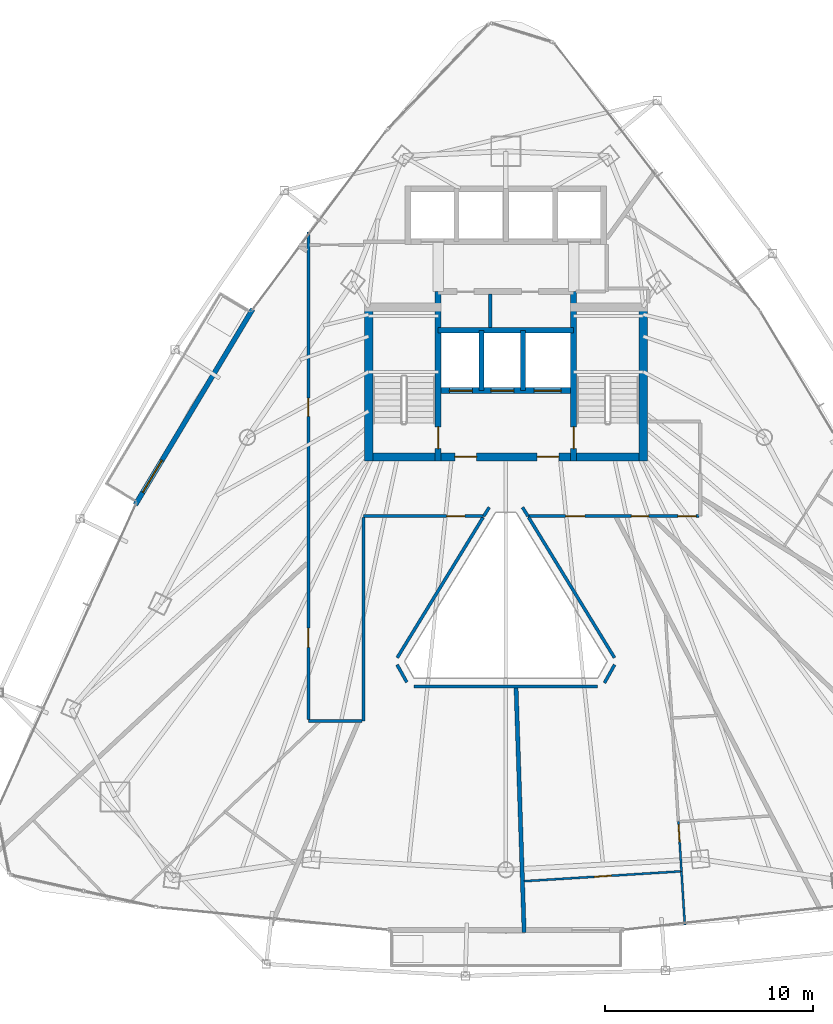
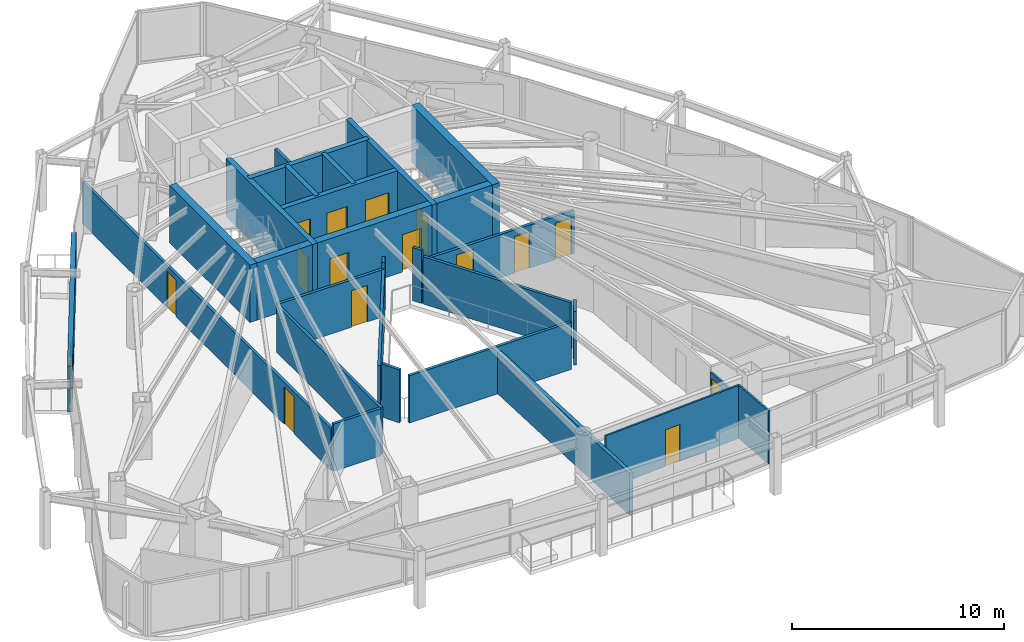
# One storey, part 24 of 29: 27 walls, 16 doors, 16 openings.
"""IFC4 building model written with IfcOpenShell, lengths in metres."""

from ifc_helpers import new_model, si_unit, direction, frame, frame_2d, origin, place, context, subcontext, project, spatial, rectangle, extrude, material, layer, layer_set, type_object, element, fill, save


model = new_model("IFC4")

# Units and contexts
model_context = context("Model", 3, precision=1e-05, world=origin(), true_north=direction((0.0, 1.0)))
body_context = subcontext(model_context, "Body", "Model", "MODEL_VIEW")
ifc_project = project(units=[si_unit("LENGTHUNIT", "METRE"), si_unit("AREAUNIT", "SQUARE_METRE"), si_unit("VOLUMEUNIT", "CUBIC_METRE"), si_unit("PLANEANGLEUNIT", "RADIAN"), si_unit("MASSUNIT", "GRAM", prefix="KILO")], contexts=[model_context])

# Site, building, storey
site_placement = place(None, origin())
site = spatial("IfcSite", under=ifc_project, at=site_placement, CompositionType="ELEMENT")
building_placement = place(site_placement, origin())
building = spatial("IfcBuilding", under=site, at=building_placement, Name="Orvanel Arch Residences", CompositionType="ELEMENT")
storey_placement = place(building_placement, frame((0.0, 0.0, 170.449951171875)))
storey = spatial("IfcBuildingStorey", under=building, at=storey_placement, Name="L48", CompositionType="ELEMENT", Elevation=170.449951171875)

# Wall, opening, door
ifc_material_1 = material(Name="Precast concrete N50 (50 MPa)", Category="concrete")
ifc_layer_1 = layer(ifc_material_1, 0.239990234375)
ifc_layer_set_1 = layer_set([ifc_layer_1], Name="Precast concrete N50 (50 MPa)")
wall_type_1 = type_object("IfcWallType", Name="EW-BAL-240", PredefinedType="SOLIDWALL", material=ifc_layer_set_1)
wall_1_placement = place(storey_placement, frame((20.825927734375, 33.81103515625, 0.0), z_axis=(0.0, 0.0, 1.0), x_axis=(-0.514332213488, -0.857591029669, 0.0)))
wall_1 = element("IfcWall", 1, at=wall_1_placement, inside=storey, type_object=wall_type_1, Name="L48 Balcony Threshold Wall Face 1", PredefinedType="SOLIDWALL", context=body_context, shape_type="SweptSolid", body=[
    extrude(rectangle(XDim=10.977294921875, YDim=0.239990234375, at=frame_2d((5.48876953125, 0.0))), origin(), (0.0, 0.0, 1.0), 2.6240234375),
])
opening_1_placement = place(wall_1_placement, frame((8.47998046875, 0.0, 0.0)))
opening_1 = element("IfcOpeningElement", 2, at=opening_1_placement, cuts=wall_1, Name="Opening DB-180", PredefinedType="OPENING", context=body_context, shape_type="SweptSolid", body=[
    extrude(rectangle(XDim=1.800048828125, YDim=2.199951171875, at=frame_2d((0.89990234375, 1.10009765625))), frame((0.0, 0.1298828125, 0.0), z_axis=(0.0, -1.0, 0.0), x_axis=(1.0, 0.0, 0.0)), (0.0, 0.0, 1.0), 0.260009765625),
])
ifc_material_2 = material(Name="Bronze-anodised aluminium AA6063-T6", Category="aluminium")
door_type_1 = type_object("IfcDoorType", Name="DR-BAL-1800", OperationType="NOTDEFINED", PredefinedType="DOOR", material=ifc_material_2)
door_1_placement = place(opening_1_placement, origin())
door_1 = element("IfcDoor", 3, at=door_1_placement, inside=storey, type_object=door_type_1, Name="DR-L48-BAL-F1 L48 Planted Balcony Access Door Face 1", OperationType="SINGLE_SWING_LEFT", OverallHeight=2.199951171875, OverallWidth=1.800048828125, PredefinedType="DOOR", context=body_context, shape_type="SweptSolid", body=[
    extrude(rectangle(XDim=1.800048828125, YDim=2.199951171875, at=frame_2d((0.89990234375, 1.10009765625))), frame((0.0, 0.02490234375, 0.0), z_axis=(0.0, -1.0, 0.0), x_axis=(1.0, 0.0, 0.0)), (0.0, 0.0, 1.0), 0.050048828125),
])
fill(opening_1, door_1)

# Walls
ifc_material_3 = material(Name="Concrete N50 (50 MPa)", Category="concrete")
ifc_layer_2 = layer(ifc_material_3, 0.25)
ifc_layer_set_2 = layer_set([ifc_layer_2], Name="Concrete N50 (50 MPa)")
wall_type_2 = type_object("IfcWallType", Name="SW-CORE-250", PredefinedType="SHEAR", material=ifc_layer_set_2)
for number, where, z_axis, x_axis, name in (
    (4, (31.824951171875, 29.889892578125, 0.0), (0.0, 0.0, 1.0), (0.0, 1.0, 0.0), "L48 Emergency Lift Inter-Shaft Wall F12"),
    (5, (33.824951171875, 29.889892578125, 0.0), (0.0, 0.0, 1.0), (0.0, 1.0, 0.0), "L48 Emergency Lift Inter-Shaft Wall F2G"),
):
    element("IfcWall", number, at=place(storey_placement, frame(where, z_axis=z_axis, x_axis=x_axis)), inside=storey, type_object=wall_type_2, Name=name, PredefinedType="SHEAR", context=body_context, shape_type="SweptSolid", body=[
        extrude(rectangle(XDim=2.900146484375, YDim=0.25, at=frame_2d((1.4501953125, 0.0))), origin(), (0.0, 0.0, 1.0), 3.300048828125),
    ])

# Wall, opening, door
ifc_material_4 = material(Name="Concrete S65 (65 MPa)", Category="concrete")
ifc_layer_3 = layer(ifc_material_4, 0.280029296875)
ifc_layer_set_3 = layer_set([ifc_layer_3], Name="Concrete S65 (65 MPa)")
wall_type_3 = type_object("IfcWallType", Name="SW-CORE-280", PredefinedType="SHEAR", material=ifc_layer_set_3)
wall_2_placement = place(storey_placement, frame((29.739990234375, 26.5, 0.0), z_axis=(0.0, 0.0, 1.0), x_axis=(0.0, 1.0, 0.0)))
wall_2 = element("IfcWall", 6, at=wall_2_placement, inside=storey, type_object=wall_type_3, Name="L48 West Inner Core Spine Shear Wall", PredefinedType="SHEAR", context=body_context, shape_type="SweptSolid", body=[
    extrude(rectangle(XDim=8.14990234375, YDim=0.280029296875, at=frame_2d((4.074951171875, 0.0))), origin(), (0.0, 0.0, 1.0), 3.300048828125),
])
opening_2_placement = place(wall_2_placement, frame((0.60009765625, 0.0, 0.0)))
opening_2 = element("IfcOpeningElement", 7, at=opening_2_placement, cuts=wall_2, Name="Opening DF-120", PredefinedType="OPENING", context=body_context, shape_type="SweptSolid", body=[
    extrude(rectangle(XDim=1.050048828125, YDim=2.14990234375, at=frame_2d((0.52490234375, 1.074951171875))), frame((0.0, 0.14990234375, 0.0), z_axis=(0.0, -1.0, 0.0), x_axis=(1.0, 0.0, 0.0)), (0.0, 0.0, 1.0), 0.300048828125),
])
ifc_material_5 = material(Name="Galvanised steel fire-resisting door assembly", Category="steel")
door_type_2 = type_object("IfcDoorType", Name="DR-FD120-1050", OperationType="NOTDEFINED", PredefinedType="DOOR", material=ifc_material_5)
door_2_placement = place(opening_2_placement, origin())
door_2 = element("IfcDoor", 8, at=door_2_placement, inside=storey, type_object=door_type_2, Name="DR-L48-ST1 L48 Stair 1 Fire Door", OperationType="SINGLE_SWING_LEFT", OverallHeight=2.14990234375, OverallWidth=1.050048828125, PredefinedType="DOOR", context=body_context, shape_type="SweptSolid", body=[
    extrude(rectangle(XDim=1.050048828125, YDim=2.14990234375, at=frame_2d((0.52490234375, 1.074951171875))), frame((0.0, 0.02490234375, 0.0), z_axis=(0.0, -1.0, 0.0), x_axis=(1.0, 0.0, 0.0)), (0.0, 0.0, 1.0), 0.050048828125),
])
fill(opening_2, door_2)

wall_3_placement = place(storey_placement, frame((36.260009765625, 26.5, 0.0), z_axis=(0.0, 0.0, 1.0), x_axis=(0.0, 1.0, 0.0)))
wall_3 = element("IfcWall", 9, at=wall_3_placement, inside=storey, type_object=wall_type_3, Name="L48 East Inner Core Spine Shear Wall", PredefinedType="SHEAR", context=body_context, shape_type="SweptSolid", body=[
    extrude(rectangle(XDim=8.14990234375, YDim=0.280029296875, at=frame_2d((4.074951171875, 0.0))), origin(), (0.0, 0.0, 1.0), 3.300048828125),
])
opening_3_placement = place(wall_3_placement, frame((0.60009765625, 0.0, 0.0)))
opening_3 = element("IfcOpeningElement", 10, at=opening_3_placement, cuts=wall_3, Name="Opening DF-120", PredefinedType="OPENING", context=body_context, shape_type="SweptSolid", body=[
    extrude(rectangle(XDim=1.050048828125, YDim=2.14990234375, at=frame_2d((0.52490234375, 1.074951171875))), frame((0.0, 0.14990234375, 0.0), z_axis=(0.0, -1.0, 0.0), x_axis=(1.0, 0.0, 0.0)), (0.0, 0.0, 1.0), 0.300048828125),
])
door_3_placement = place(opening_3_placement, origin())
door_3 = element("IfcDoor", 11, at=door_3_placement, inside=storey, type_object=door_type_2, Name="DR-L48-ST2 L48 Stair 2 Fire Door", OperationType="SINGLE_SWING_RIGHT", OverallHeight=2.14990234375, OverallWidth=1.050048828125, PredefinedType="DOOR", context=body_context, shape_type="SweptSolid", body=[
    extrude(rectangle(XDim=1.050048828125, YDim=2.14990234375, at=frame_2d((0.52490234375, 1.074951171875))), frame((0.0, 0.02490234375, 0.0), z_axis=(0.0, -1.0, 0.0), x_axis=(1.0, 0.0, 0.0)), (0.0, 0.0, 1.0), 0.050048828125),
])
fill(opening_3, door_3)

# Wall, openings, doors
wall_4_placement = place(storey_placement, frame((36.260009765625, 29.889892578125, 0.0), z_axis=(0.0, 0.0, 1.0), x_axis=(-1.0, 0.0, 0.0)))
wall_4 = element("IfcWall", 12, at=wall_4_placement, inside=storey, type_object=wall_type_3, Name="L48 Emergency Lift Front Core Shear Wall", PredefinedType="SHEAR", context=body_context, shape_type="SweptSolid", body=[
    extrude(rectangle(XDim=6.52001953125, YDim=0.280029296875, at=frame_2d((3.260009765625, 0.0))), origin(), (0.0, 0.0, 1.0), 3.300048828125),
])
opening_4_placement = place(wall_4_placement, frame((4.875, 0.0, 0.0)))
opening_4 = element("IfcOpeningElement", 13, at=opening_4_placement, cuts=wall_4, Name="Opening LD-110", PredefinedType="OPENING", context=body_context, shape_type="SweptSolid", body=[
    extrude(rectangle(XDim=1.10009765625, YDim=2.199951171875, at=frame_2d((0.550048828125, 1.10009765625))), frame((0.0, 0.14990234375, 0.0), z_axis=(0.0, -1.0, 0.0), x_axis=(1.0, 0.0, 0.0)), (0.0, 0.0, 1.0), 0.300048828125),
])
opening_5_placement = place(wall_4_placement, frame((2.875, 0.0, 0.0)))
opening_5 = element("IfcOpeningElement", 14, at=opening_5_placement, cuts=wall_4, Name="Opening LD-110", PredefinedType="OPENING", context=body_context, shape_type="SweptSolid", body=[
    extrude(rectangle(XDim=1.10009765625, YDim=2.199951171875, at=frame_2d((0.550048828125, 1.10009765625))), frame((0.0, 0.14990234375, 0.0), z_axis=(0.0, -1.0, 0.0), x_axis=(1.0, 0.0, 0.0)), (0.0, 0.0, 1.0), 0.300048828125),
])
opening_6_placement = place(wall_4_placement, frame((0.60009765625, 0.0, 0.0)))
opening_6 = element("IfcOpeningElement", 15, at=opening_6_placement, cuts=wall_4, Name="Opening LD-130", PredefinedType="OPENING", context=body_context, shape_type="SweptSolid", body=[
    extrude(rectangle(XDim=1.300048828125, YDim=2.199951171875, at=frame_2d((0.64990234375, 1.10009765625))), frame((0.0, 0.14990234375, 0.0), z_axis=(0.0, -1.0, 0.0), x_axis=(1.0, 0.0, 0.0)), (0.0, 0.0, 1.0), 0.300048828125),
])
door_type_3 = type_object("IfcDoorType", Name="DR-LFT-1100", OperationType="NOTDEFINED", PredefinedType="DOOR", material=ifc_material_5)
door_4_placement = place(opening_4_placement, origin())
door_4 = element("IfcDoor", 16, at=door_4_placement, inside=storey, type_object=door_type_3, Name="LD-F1-L48 L48 Lift F1 Sliding Landing Door", OperationType="DOUBLE_DOOR_SLIDING", OverallHeight=2.199951171875, OverallWidth=1.10009765625, PredefinedType="DOOR", context=body_context, shape_type="SweptSolid", body=[
    extrude(rectangle(XDim=1.10009765625, YDim=2.199951171875, at=frame_2d((0.550048828125, 1.10009765625))), frame((0.0, 0.02490234375, 0.0), z_axis=(0.0, -1.0, 0.0), x_axis=(1.0, 0.0, 0.0)), (0.0, 0.0, 1.0), 0.050048828125),
])
fill(opening_4, door_4)
door_5_placement = place(opening_5_placement, origin())
door_5 = element("IfcDoor", 17, at=door_5_placement, inside=storey, type_object=door_type_3, Name="LD-F2-L48 L48 Lift F2 Sliding Landing Door", OperationType="DOUBLE_DOOR_SLIDING", OverallHeight=2.199951171875, OverallWidth=1.10009765625, PredefinedType="DOOR", context=body_context, shape_type="SweptSolid", body=[
    extrude(rectangle(XDim=1.10009765625, YDim=2.199951171875, at=frame_2d((0.550048828125, 1.10009765625))), frame((0.0, 0.02490234375, 0.0), z_axis=(0.0, -1.0, 0.0), x_axis=(1.0, 0.0, 0.0)), (0.0, 0.0, 1.0), 0.050048828125),
])
fill(opening_5, door_5)
door_type_4 = type_object("IfcDoorType", Name="DR-LFT-1300", OperationType="NOTDEFINED", PredefinedType="DOOR", material=ifc_material_5)
door_6_placement = place(opening_6_placement, origin())
door_6 = element("IfcDoor", 18, at=door_6_placement, inside=storey, type_object=door_type_4, Name="LD-G1-L48 L48 Lift G1 Sliding Landing Door", OperationType="DOUBLE_DOOR_SLIDING", OverallHeight=2.199951171875, OverallWidth=1.300048828125, PredefinedType="DOOR", context=body_context, shape_type="SweptSolid", body=[
    extrude(rectangle(XDim=1.300048828125, YDim=2.199951171875, at=frame_2d((0.64990234375, 1.10009765625))), frame((0.0, 0.02490234375, 0.0), z_axis=(0.0, -1.0, 0.0), x_axis=(1.0, 0.0, 0.0)), (0.0, 0.0, 1.0), 0.050048828125),
])
fill(opening_6, door_6)

# Wall
wall_5_placement = place(storey_placement, frame((29.739990234375, 32.7900390625, 0.0), z_axis=(0.0, 0.0, 1.0), x_axis=(1.0, 0.0, 0.0)))
element("IfcWall", 19, at=wall_5_placement, inside=storey, type_object=wall_type_3, Name="L48 Emergency Lift Back Core Shear Wall", PredefinedType="SHEAR", context=body_context, shape_type="SweptSolid", body=[
    extrude(rectangle(XDim=6.52001953125, YDim=0.280029296875, at=frame_2d((3.260009765625, 0.0))), origin(), (0.0, 0.0, 1.0), 3.300048828125),
])

# Wall, openings, doors
ifc_layer_4 = layer(ifc_material_4, 0.39990234375)
ifc_layer_set_4 = layer_set([ifc_layer_4], Name="Concrete S65 (65 MPa)")
wall_type_4 = type_object("IfcWallType", Name="SW-CORE-400", PredefinedType="SHEAR", material=ifc_layer_set_4)
wall_6_placement = place(storey_placement, frame((26.199951171875, 26.699951171875, 0.0), z_axis=(0.0, 0.0, 1.0), x_axis=(1.0, 0.0, 0.0)))
wall_6 = element("IfcWall", 20, at=wall_6_placement, inside=storey, type_object=wall_type_4, Name="L48 South Core Shear Wall", PredefinedType="SHEAR", context=body_context, shape_type="SweptSolid", body=[
    extrude(rectangle(XDim=13.60009765625, YDim=0.39990234375, at=frame_2d((6.800048828125, 0.0))), origin(), (0.0, 0.0, 1.0), 3.300048828125),
])
opening_7_placement = place(wall_6_placement, frame((4.35009765625, 0.0, 0.0)))
opening_7 = element("IfcOpeningElement", 21, at=opening_7_placement, cuts=wall_6, Name="Opening DF-060", PredefinedType="OPENING", context=body_context, shape_type="SweptSolid", body=[
    extrude(rectangle(XDim=1.050048828125, YDim=2.14990234375, at=frame_2d((0.52490234375, 1.074951171875))), frame((0.0, 0.2099609375, 0.0), z_axis=(0.0, -1.0, 0.0), x_axis=(1.0, 0.0, 0.0)), (0.0, 0.0, 1.0), 0.419921875),
])
opening_8_placement = place(wall_6_placement, frame((8.300048828125, 0.0, 0.0)))
opening_8 = element("IfcOpeningElement", 22, at=opening_8_placement, cuts=wall_6, Name="Opening DF-060", PredefinedType="OPENING", context=body_context, shape_type="SweptSolid", body=[
    extrude(rectangle(XDim=1.050048828125, YDim=2.14990234375, at=frame_2d((0.52490234375, 1.074951171875))), frame((0.0, 0.2099609375, 0.0), z_axis=(0.0, -1.0, 0.0), x_axis=(1.0, 0.0, 0.0)), (0.0, 0.0, 1.0), 0.419921875),
])
door_type_5 = type_object("IfcDoorType", Name="DR-FD60-1050", OperationType="NOTDEFINED", PredefinedType="DOOR", material=ifc_material_5)
door_7_placement = place(opening_7_placement, origin())
door_7 = element("IfcDoor", 23, at=door_7_placement, inside=storey, type_object=door_type_5, Name="DR-L48-FFL-W L48 West Smoke Lobby Door", OperationType="SINGLE_SWING_LEFT", OverallHeight=2.14990234375, OverallWidth=1.050048828125, PredefinedType="DOOR", context=body_context, shape_type="SweptSolid", body=[
    extrude(rectangle(XDim=1.050048828125, YDim=2.14990234375, at=frame_2d((0.52490234375, 1.074951171875))), frame((0.0, 0.02490234375, 0.0), z_axis=(0.0, -1.0, 0.0), x_axis=(1.0, 0.0, 0.0)), (0.0, 0.0, 1.0), 0.050048828125),
])
fill(opening_7, door_7)
door_8_placement = place(opening_8_placement, origin())
door_8 = element("IfcDoor", 24, at=door_8_placement, inside=storey, type_object=door_type_5, Name="DR-L48-FFL-E L48 East Smoke Lobby Door", OperationType="SINGLE_SWING_RIGHT", OverallHeight=2.14990234375, OverallWidth=1.050048828125, PredefinedType="DOOR", context=body_context, shape_type="SweptSolid", body=[
    extrude(rectangle(XDim=1.050048828125, YDim=2.14990234375, at=frame_2d((0.52490234375, 1.074951171875))), frame((0.0, 0.02490234375, 0.0), z_axis=(0.0, -1.0, 0.0), x_axis=(1.0, 0.0, 0.0)), (0.0, 0.0, 1.0), 0.050048828125),
])
fill(opening_8, door_8)

# Walls
for number, where, z_axis, x_axis, name in (
    (25, (26.39990234375, 26.5, 0.0), (0.0, 0.0, 1.0), (0.0, 1.0, 0.0), "L48 West Stair Shear Wall"),
    (26, (39.60009765625, 26.5, 0.0), (0.0, 0.0, 1.0), (0.0, 1.0, 0.0), "L48 East Stair Shear Wall"),
):
    element("IfcWall", number, at=place(storey_placement, frame(where, z_axis=z_axis, x_axis=x_axis)), inside=storey, type_object=wall_type_4, Name=name, PredefinedType="SHEAR", context=body_context, shape_type="SweptSolid", body=[
        extrude(rectangle(XDim=7.60009765625, YDim=0.39990234375, at=frame_2d((3.800048828125, 0.0))), origin(), (0.0, 0.0, 1.0), 3.300048828125),
    ])
ifc_material_6 = material(Name="Fire-rated plasterboard lined steel stud partition", Category="steel")
ifc_layer_5 = layer(ifc_material_6, 0.14990234375)
ifc_layer_set_5 = layer_set([ifc_layer_5], Name="Fire-rated plasterboard lined steel stud partition")
wall_type_5 = type_object("IfcWallType", Name="W-COR-150", PredefinedType="PARTITIONING", material=ifc_layer_set_5)
wall_7_placement = place(storey_placement, frame((32.200927734375, 24.27587890625, 0.0), z_axis=(0.0, 0.0, 1.0), x_axis=(-0.529649150849, -0.84821682193, 0.0)))
element("IfcWall", 27, at=wall_7_placement, inside=storey, type_object=wall_type_5, Name="L48 Corridor Fire-Rated Partition", PredefinedType="PARTITIONING", context=body_context, shape_type="SweptSolid", body=[
    extrude(rectangle(XDim=0.501953125, YDim=0.14990234375, at=frame_2d((0.2509765625, 0.0))), origin(), (0.0, 0.0, 1.0), 3.06005859375),
])

# Wall, opening, door
wall_8_placement = place(storey_placement, frame((31.93505859375, 23.85009765625, 0.0), z_axis=(0.0, 0.0, 1.0), x_axis=(-1.0, 0.0, 0.0)))
wall_8 = element("IfcWall", 28, at=wall_8_placement, inside=storey, type_object=wall_type_5, Name="L48 Corridor Fire-Rated Partition", PredefinedType="PARTITIONING", context=body_context, shape_type="SweptSolid", body=[
    extrude(rectangle(XDim=5.78515625, YDim=0.14990234375, at=frame_2d((2.892578125, 0.0))), origin(), (0.0, 0.0, 1.0), 2.720947265625),
])
opening_9_placement = place(wall_8_placement, frame((0.905029296875, 0.0, 0.0)))
opening_9 = element("IfcOpeningElement", 29, at=opening_9_placement, cuts=wall_8, Name="Opening DI-088", PredefinedType="OPENING", context=body_context, shape_type="SweptSolid", body=[
    extrude(rectangle(XDim=0.8798828125, YDim=2.10009765625, at=frame_2d((0.43994140625, 1.050048828125))), frame((0.0, 0.0849609375, 0.0), z_axis=(0.0, -1.0, 0.0), x_axis=(1.0, 0.0, 0.0)), (0.0, 0.0, 1.0), 0.169921875),
])
ifc_material_7 = material(Name="Solid-core European oak veneer fire door leaf", Category="wood")
door_type_6 = type_object("IfcDoorType", Name="DR-INT-880", OperationType="NOTDEFINED", PredefinedType="DOOR", material=ifc_material_7)
door_9_placement = place(opening_9_placement, origin())
door_9 = element("IfcDoor", 30, at=door_9_placement, inside=storey, type_object=door_type_6, Name="DR-L48-SHRD-FB5 L48 Co-Working Study Office E Door", OperationType="SINGLE_SWING_LEFT", OverallHeight=2.10009765625, OverallWidth=0.8798828125, PredefinedType="DOOR", context=body_context, shape_type="SweptSolid", body=[
    extrude(rectangle(XDim=0.8798828125, YDim=2.10009765625, at=frame_2d((0.43994140625, 1.050048828125))), frame((0.0, 0.02490234375, 0.0), z_axis=(0.0, -1.0, 0.0), x_axis=(1.0, 0.0, 0.0)), (0.0, 0.0, 1.0), 0.050048828125),
])
fill(opening_9, door_9)

# Walls
wall_9_placement = place(storey_placement, frame((26.14990234375, 23.7900390625, 0.0), z_axis=(0.0, 0.0, 1.0), x_axis=(0.0, -1.0, 0.0)))
element("IfcWall", 31, at=wall_9_placement, inside=storey, type_object=wall_type_5, Name="L48 Corridor Fire-Rated Partition", PredefinedType="PARTITIONING", context=body_context, shape_type="SweptSolid", body=[
    extrude(rectangle(XDim=9.7900390625, YDim=0.14990234375, at=frame_2d((4.89501953125, 0.0))), origin(), (0.0, 0.0, 1.0), 2.720947265625),
])
wall_10_placement = place(storey_placement, frame((26.090087890625, 14.0, 0.0), z_axis=(0.0, 0.0, 1.0), x_axis=(-1.0, 0.0, 0.0)))
element("IfcWall", 32, at=wall_10_placement, inside=storey, type_object=wall_type_5, Name="L48 Corridor Fire-Rated Partition", PredefinedType="PARTITIONING", context=body_context, shape_type="SweptSolid", body=[
    extrude(rectangle(XDim=2.590087890625, YDim=0.14990234375, at=frame_2d((1.294921875, 0.0))), origin(), (0.0, 0.0, 1.0), 2.720947265625),
])

# Wall, openings, doors
wall_11_placement = place(storey_placement, frame((23.5, 14.06005859375, 0.0), z_axis=(0.0, 0.0, 1.0), x_axis=(0.0, 1.0, 0.0)))
wall_11 = element("IfcWall", 33, at=wall_11_placement, inside=storey, type_object=wall_type_5, Name="L48 Corridor Fire-Rated Partition", PredefinedType="PARTITIONING", context=body_context, shape_type="SweptSolid", body=[
    extrude(rectangle(XDim=23.45703125, YDim=0.14990234375, at=frame_2d((11.728515625, 0.0))), origin(), (0.0, 0.0, 1.0), 2.4130859375),
])
opening_10_placement = place(wall_11_placement, frame((14.5859375, 0.0, 0.0)))
opening_10 = element("IfcOpeningElement", 34, at=opening_10_placement, cuts=wall_11, Name="Opening DI-088", PredefinedType="OPENING", context=body_context, shape_type="SweptSolid", body=[
    extrude(rectangle(XDim=0.8798828125, YDim=2.10009765625, at=frame_2d((0.43994140625, 1.050048828125))), frame((0.0, 0.0849609375, 0.0), z_axis=(0.0, -1.0, 0.0), x_axis=(1.0, 0.0, 0.0)), (0.0, 0.0, 1.0), 0.169921875),
])
opening_11_placement = place(wall_11_placement, frame((3.48291015625, 0.0, 0.0)))
opening_11 = element("IfcOpeningElement", 35, at=opening_11_placement, cuts=wall_11, Name="Opening DA-092", PredefinedType="OPENING", context=body_context, shape_type="SweptSolid", body=[
    extrude(rectangle(XDim=0.919921875, YDim=2.14990234375, at=frame_2d((0.4599609375, 1.074951171875))), frame((0.0, 0.0849609375, 0.0), z_axis=(0.0, -1.0, 0.0), x_axis=(1.0, 0.0, 0.0)), (0.0, 0.0, 1.0), 0.169921875),
])
door_type_7 = type_object("IfcDoorType", Name="DR-APT-920", OperationType="NOTDEFINED", PredefinedType="DOOR", material=ifc_material_7)
door_10_placement = place(opening_11_placement, origin())
door_10 = element("IfcDoor", 36, at=door_10_placement, inside=storey, type_object=door_type_7, Name="DR-L48-C-ENT L48 Flat C Entrance Door", OperationType="SINGLE_SWING_RIGHT", OverallHeight=2.14990234375, OverallWidth=0.919921875, PredefinedType="DOOR", context=body_context, shape_type="SweptSolid", body=[
    extrude(rectangle(XDim=0.919921875, YDim=2.14990234375, at=frame_2d((0.4599609375, 1.074951171875))), frame((0.0, 0.02490234375, 0.0), z_axis=(0.0, -1.0, 0.0), x_axis=(1.0, 0.0, 0.0)), (0.0, 0.0, 1.0), 0.050048828125),
])
fill(opening_11, door_10)
door_11_placement = place(opening_10_placement, origin())
door_11 = element("IfcDoor", 37, at=door_11_placement, inside=storey, type_object=door_type_6, Name="DR-L48-SHRD-FB2 L48 Co-Working Study Office B Door", OperationType="SINGLE_SWING_LEFT", OverallHeight=2.10009765625, OverallWidth=0.8798828125, PredefinedType="DOOR", context=body_context, shape_type="SweptSolid", body=[
    extrude(rectangle(XDim=0.8798828125, YDim=2.10009765625, at=frame_2d((0.43994140625, 1.050048828125))), frame((0.0, 0.02490234375, 0.0), z_axis=(0.0, -1.0, 0.0), x_axis=(1.0, 0.0, 0.0)), (0.0, 0.0, 1.0), 0.050048828125),
])
fill(opening_10, door_11)

wall_12_placement = place(storey_placement, frame((42.2900390625, 23.85009765625, 0.0), z_axis=(0.0, 0.0, 1.0), x_axis=(-1.0, 0.0, 0.0)))
wall_12 = element("IfcWall", 38, at=wall_12_placement, inside=storey, type_object=wall_type_5, Name="L48 Corridor Fire-Rated Partition", PredefinedType="PARTITIONING", context=body_context, shape_type="SweptSolid", body=[
    extrude(rectangle(XDim=8.22509765625, YDim=0.14990234375, at=frame_2d((4.112548828125, 0.0))), origin(), (0.0, 0.0, 1.0), 2.491943359375),
])
opening_12_placement = place(wall_12_placement, frame((5.492919921875, 0.0, 0.0)))
opening_12 = element("IfcOpeningElement", 39, at=opening_12_placement, cuts=wall_12, Name="Opening DA-092", PredefinedType="OPENING", context=body_context, shape_type="SweptSolid", body=[
    extrude(rectangle(XDim=0.919921875, YDim=2.14990234375, at=frame_2d((0.4599609375, 1.074951171875))), frame((0.0, 0.0849609375, 0.0), z_axis=(0.0, -1.0, 0.0), x_axis=(1.0, 0.0, 0.0)), (0.0, 0.0, 1.0), 0.169921875),
])
opening_13_placement = place(wall_12_placement, frame((2.429931640625, 0.0, 0.0)))
opening_13 = element("IfcOpeningElement", 40, at=opening_13_placement, cuts=wall_12, Name="Opening DW-082", PredefinedType="OPENING", context=body_context, shape_type="SweptSolid", body=[
    extrude(rectangle(XDim=0.820068359375, YDim=2.10009765625, at=frame_2d((0.41015625, 1.050048828125))), frame((0.0, 0.0849609375, 0.0), z_axis=(0.0, -1.0, 0.0), x_axis=(1.0, 0.0, 0.0)), (0.0, 0.0, 1.0), 0.169921875),
])
opening_14_placement = place(wall_12_placement, frame((0.139892578125, 0.0, 0.0)))
opening_14 = element("IfcOpeningElement", 41, at=opening_14_placement, cuts=wall_12, Name="Opening DI-088", PredefinedType="OPENING", context=body_context, shape_type="SweptSolid", body=[
    extrude(rectangle(XDim=0.8798828125, YDim=2.10009765625, at=frame_2d((0.43994140625, 1.050048828125))), frame((0.0, 0.0849609375, 0.0), z_axis=(0.0, -1.0, 0.0), x_axis=(1.0, 0.0, 0.0)), (0.0, 0.0, 1.0), 0.169921875),
])
door_12_placement = place(opening_12_placement, origin())
door_12 = element("IfcDoor", 42, at=door_12_placement, inside=storey, type_object=door_type_7, Name="DR-L48-A-ENT L48 Studio A Entrance Door", OperationType="SINGLE_SWING_RIGHT", OverallHeight=2.14990234375, OverallWidth=0.919921875, PredefinedType="DOOR", context=body_context, shape_type="SweptSolid", body=[
    extrude(rectangle(XDim=0.919921875, YDim=2.14990234375, at=frame_2d((0.4599609375, 1.074951171875))), frame((0.0, 0.02490234375, 0.0), z_axis=(0.0, -1.0, 0.0), x_axis=(1.0, 0.0, 0.0)), (0.0, 0.0, 1.0), 0.050048828125),
])
fill(opening_12, door_12)
door_13_placement = place(opening_14_placement, origin())
door_13 = element("IfcDoor", 43, at=door_13_placement, inside=storey, type_object=door_type_6, Name="DR-L48-SHRD-FB8 L48 Co-Working Study Office H Door", OperationType="SINGLE_SWING_LEFT", OverallHeight=2.10009765625, OverallWidth=0.8798828125, PredefinedType="DOOR", context=body_context, shape_type="SweptSolid", body=[
    extrude(rectangle(XDim=0.8798828125, YDim=2.10009765625, at=frame_2d((0.43994140625, 1.050048828125))), frame((0.0, 0.02490234375, 0.0), z_axis=(0.0, -1.0, 0.0), x_axis=(1.0, 0.0, 0.0)), (0.0, 0.0, 1.0), 0.050048828125),
])
fill(opening_14, door_13)
door_type_8 = type_object("IfcDoorType", Name="DR-WET-820", OperationType="NOTDEFINED", PredefinedType="DOOR", material=ifc_material_7)
door_14_placement = place(opening_13_placement, origin())
door_14 = element("IfcDoor", 44, at=door_14_placement, inside=storey, type_object=door_type_8, Name="DR-L48-SHRD-FB6 L48 Co-Working Study Office F Door", OperationType="SINGLE_SWING_LEFT", OverallHeight=2.10009765625, OverallWidth=0.820068359375, PredefinedType="DOOR", context=body_context, shape_type="SweptSolid", body=[
    extrude(rectangle(XDim=0.820068359375, YDim=2.10009765625, at=frame_2d((0.41015625, 1.050048828125))), frame((0.0, 0.02490234375, 0.0), z_axis=(0.0, -1.0, 0.0), x_axis=(1.0, 0.0, 0.0)), (0.0, 0.0, 1.0), 0.050048828125),
])
fill(opening_13, door_14)

# Walls
wall_13_placement = place(storey_placement, frame((34.06494140625, 23.85009765625, 0.0), z_axis=(0.0, 0.0, 1.0), x_axis=(-0.529649150849, 0.84821682193, 0.0)))
element("IfcWall", 45, at=wall_13_placement, inside=storey, type_object=wall_type_5, Name="L48 Corridor Fire-Rated Partition", PredefinedType="PARTITIONING", context=body_context, shape_type="SweptSolid", body=[
    extrude(rectangle(XDim=0.501953125, YDim=0.14990234375, at=frame_2d((0.2509765625, 0.0))), origin(), (0.0, 0.0, 1.0), 3.06005859375),
])
wall_14_placement = place(storey_placement, frame((34.095947265625, 23.7900390625, 0.0), z_axis=(0.0, 0.0, 1.0), x_axis=(0.521886794995, -0.853014755564, 0.0)))
element("IfcWall", 46, at=wall_14_placement, inside=storey, type_object=wall_type_5, Name="L48 Atrium Overlook Glazed Partition", PredefinedType="PARTITIONING", context=body_context, shape_type="SweptSolid", body=[
    extrude(rectangle(XDim=7.911865234375, YDim=0.14990234375, at=frame_2d((3.9560546875, 0.0))), origin(), (0.0, 0.0, 1.0), 2.720947265625),
])
wall_15_placement = place(storey_placement, frame((38.23193359375, 16.705078125, 0.0), z_axis=(0.0, 0.0, 1.0), x_axis=(-0.489011382175, -0.872277403183, 0.0)))
element("IfcWall", 47, at=wall_15_placement, inside=storey, type_object=wall_type_5, Name="L48 Atrium Overlook Glazed Partition", PredefinedType="PARTITIONING", context=body_context, shape_type="SweptSolid", body=[
    extrude(rectangle(XDim=1.001953125, YDim=0.14990234375, at=frame_2d((0.5009765625, 0.0))), origin(), (0.0, 0.0, 1.0), 3.06005859375),
])
wall_16_placement = place(storey_placement, frame((37.4130859375, 15.658935546875, 0.0), z_axis=(0.0, 0.0, 1.0), x_axis=(-1.0, 0.0, 0.0)))
element("IfcWall", 48, at=wall_16_placement, inside=storey, type_object=wall_type_5, Name="L48 Atrium Overlook Glazed Partition", PredefinedType="PARTITIONING", context=body_context, shape_type="SweptSolid", body=[
    extrude(rectangle(XDim=8.826171875, YDim=0.14990234375, at=frame_2d((4.4130859375, 0.0))), origin(), (0.0, 0.0, 1.0), 2.720947265625),
])
wall_17_placement = place(storey_placement, frame((28.238037109375, 15.864013671875, 0.0), z_axis=(0.0, 0.0, 1.0), x_axis=(-0.48779296069, 0.872959350429, 0.0)))
element("IfcWall", 49, at=wall_17_placement, inside=storey, type_object=wall_type_5, Name="L48 Atrium Overlook Glazed Partition", PredefinedType="PARTITIONING", context=body_context, shape_type="SweptSolid", body=[
    extrude(rectangle(XDim=0.96337890625, YDim=0.14990234375, at=frame_2d((0.481689453125, 0.0))), origin(), (0.0, 0.0, 1.0), 3.06005859375),
])
wall_18_placement = place(storey_placement, frame((27.77490234375, 17.041015625, 0.0), z_axis=(0.0, 0.0, 1.0), x_axis=(0.521886794995, 0.853014755564, 0.0)))
element("IfcWall", 50, at=wall_18_placement, inside=storey, type_object=wall_type_5, Name="L48 Atrium Overlook Glazed Partition", PredefinedType="PARTITIONING", context=body_context, shape_type="SweptSolid", body=[
    extrude(rectangle(XDim=7.911865234375, YDim=0.14990234375, at=frame_2d((3.9560546875, 0.0))), origin(), (0.0, 0.0, 1.0), 2.720947265625),
])
ifc_layer_6 = layer(ifc_material_6, 0.199951171875)
ifc_layer_set_6 = layer_set([ifc_layer_6], Name="Fire-rated plasterboard lined steel stud partition")
wall_type_6 = type_object("IfcWallType", Name="W-DEM-200", PredefinedType="PARTITIONING", material=ifc_layer_set_6)
wall_19_placement = place(storey_placement, frame((33.8798828125, 3.8310546875, 0.0), z_axis=(0.0, 0.0, 1.0), x_axis=(-0.033030388285, 0.999454347857, 0.0)))
element("IfcWall", 51, at=wall_19_placement, inside=storey, type_object=wall_type_6, Name="L48 Inter-Tenancy Acoustic Demising Wall", PredefinedType="PARTITIONING", context=body_context, shape_type="SweptSolid", body=[
    extrude(rectangle(XDim=11.7744140625, YDim=0.199951171875, at=frame_2d((5.88720703125, 0.0))), origin(), (0.0, 0.0, 1.0), 2.4130859375),
])

# Wall, opening, door
ifc_material_8 = material(Name="Acoustic plasterboard lined twin-stud partition", Category="gypsum")
ifc_layer_7 = layer(ifc_material_8, 0.10009765625)
ifc_layer_set_7 = layer_set([ifc_layer_7], Name="Acoustic plasterboard lined twin-stud partition")
wall_type_7 = type_object("IfcWallType", Name="W-INT-100", PredefinedType="PARTITIONING", material=ifc_layer_set_7)
wall_20_placement = place(storey_placement, frame((41.2958984375, 9.156982421875, 0.0), z_axis=(0.0, 0.0, 1.0), x_axis=(0.062778653683, -0.998027474893, 0.0)))
wall_20 = element("IfcWall", 52, at=wall_20_placement, inside=storey, type_object=wall_type_7, Name="L48 Studio A Internal Partition", PredefinedType="PARTITIONING", context=body_context, shape_type="SweptSolid", body=[
    extrude(rectangle(XDim=2.3916015625, YDim=0.10009765625, at=frame_2d((1.19580078125, 0.0))), origin(), (0.0, 0.0, 1.0), 2.4130859375),
])
opening_15_placement = place(wall_20_placement, frame((0.139892578125, 0.0, 0.0)))
opening_15 = element("IfcOpeningElement", 53, at=opening_15_placement, cuts=wall_20, Name="Opening DW-082", PredefinedType="OPENING", context=body_context, shape_type="SweptSolid", body=[
    extrude(rectangle(XDim=0.820068359375, YDim=2.10009765625, at=frame_2d((0.41015625, 1.050048828125))), frame((0.0, 0.06005859375, 0.0), z_axis=(0.0, -1.0, 0.0), x_axis=(1.0, 0.0, 0.0)), (0.0, 0.0, 1.0), 0.1201171875),
])
door_15_placement = place(opening_15_placement, origin())
door_15 = element("IfcDoor", 54, at=door_15_placement, inside=storey, type_object=door_type_8, Name="DR-L48-A-LAU1 L48 Studio A Apartment Laundry Room 1 Door", OperationType="SINGLE_SWING_LEFT", OverallHeight=2.10009765625, OverallWidth=0.820068359375, PredefinedType="DOOR", context=body_context, shape_type="SweptSolid", body=[
    extrude(rectangle(XDim=0.820068359375, YDim=2.10009765625, at=frame_2d((0.41015625, 1.050048828125))), frame((0.0, 0.02490234375, 0.0), z_axis=(0.0, -1.0, 0.0), x_axis=(1.0, 0.0, 0.0)), (0.0, 0.0, 1.0), 0.050048828125),
])
fill(opening_15, door_15)

wall_21_placement = place(storey_placement, frame((41.446044921875, 6.77001953125, 0.0), z_axis=(0.0, 0.0, 1.0), x_axis=(-0.998040272182, -0.062574875979, 0.0)))
wall_21 = element("IfcWall", 55, at=wall_21_placement, inside=storey, type_object=wall_type_7, Name="L48 Studio A Internal Partition", PredefinedType="PARTITIONING", context=body_context, shape_type="SweptSolid", body=[
    extrude(rectangle(XDim=7.576904296875, YDim=0.10009765625, at=frame_2d((3.78857421875, 0.0))), origin(), (0.0, 0.0, 1.0), 3.06005859375),
])
opening_16_placement = place(wall_21_placement, frame((3.3779296875, 0.0, 0.0)))
opening_16 = element("IfcOpeningElement", 56, at=opening_16_placement, cuts=wall_21, Name="Opening DW-082", PredefinedType="OPENING", context=body_context, shape_type="SweptSolid", body=[
    extrude(rectangle(XDim=0.820068359375, YDim=2.10009765625, at=frame_2d((0.41015625, 1.050048828125))), frame((0.0, 0.06005859375, 0.0), z_axis=(0.0, -1.0, 0.0), x_axis=(1.0, 0.0, 0.0)), (0.0, 0.0, 1.0), 0.1201171875),
])
door_16_placement = place(opening_16_placement, origin())
door_16 = element("IfcDoor", 57, at=door_16_placement, inside=storey, type_object=door_type_8, Name="DR-L48-A-LAU2 L48 Studio A Apartment Laundry Room 2 Door", OperationType="SINGLE_SWING_LEFT", OverallHeight=2.10009765625, OverallWidth=0.820068359375, PredefinedType="DOOR", context=body_context, shape_type="SweptSolid", body=[
    extrude(rectangle(XDim=0.820068359375, YDim=2.10009765625, at=frame_2d((0.41015625, 1.050048828125))), frame((0.0, 0.02490234375, 0.0), z_axis=(0.0, -1.0, 0.0), x_axis=(1.0, 0.0, 0.0)), (0.0, 0.0, 1.0), 0.050048828125),
])
fill(opening_16, door_16)

# Walls
wall_22_placement = place(storey_placement, frame((41.60693359375, 4.197998046875, 0.0), z_axis=(0.0, 0.0, 1.0), x_axis=(-0.062431368009, 0.99804925945, 0.0)))
element("IfcWall", 58, at=wall_22_placement, inside=storey, type_object=wall_type_7, Name="L48 Studio A Internal Partition", PredefinedType="PARTITIONING", context=body_context, shape_type="SweptSolid", body=[
    extrude(rectangle(XDim=2.5771484375, YDim=0.10009765625, at=frame_2d((1.28857421875, 0.0))), origin(), (0.0, 0.0, 1.0), 3.06005859375),
])
ifc_layer_8 = layer(ifc_material_6, 0.14990234375)
ifc_layer_set_8 = layer_set([ifc_layer_8], Name="Fire-rated plasterboard lined steel stud partition")
wall_type_8 = type_object("IfcWallType", Name="W-ST-150", PredefinedType="PARTITIONING", material=ifc_layer_set_8)
wall_23_placement = place(storey_placement, frame((32.25, 32.9150390625, 0.0), z_axis=(0.0, 0.0, 1.0), x_axis=(0.0, 1.0, 0.0)))
element("IfcWall", 59, at=wall_23_placement, inside=storey, type_object=wall_type_8, Name="L48 Core Service Partition 1", PredefinedType="PARTITIONING", context=body_context, shape_type="SweptSolid", body=[
    extrude(rectangle(XDim=1.60986328125, YDim=0.14990234375, at=frame_2d((0.804931640625, 0.0))), origin(), (0.0, 0.0, 1.0), 3.06005859375),
])

save(model, "model.ifc")
